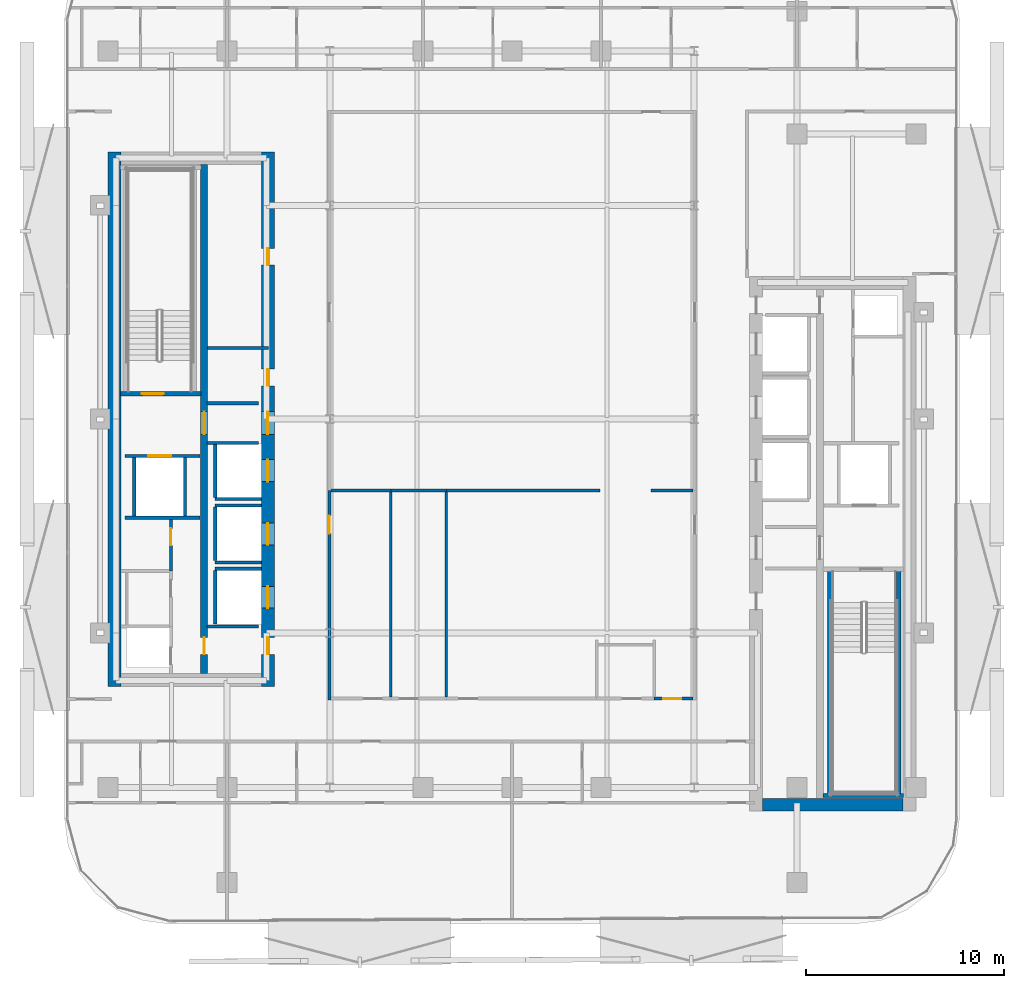
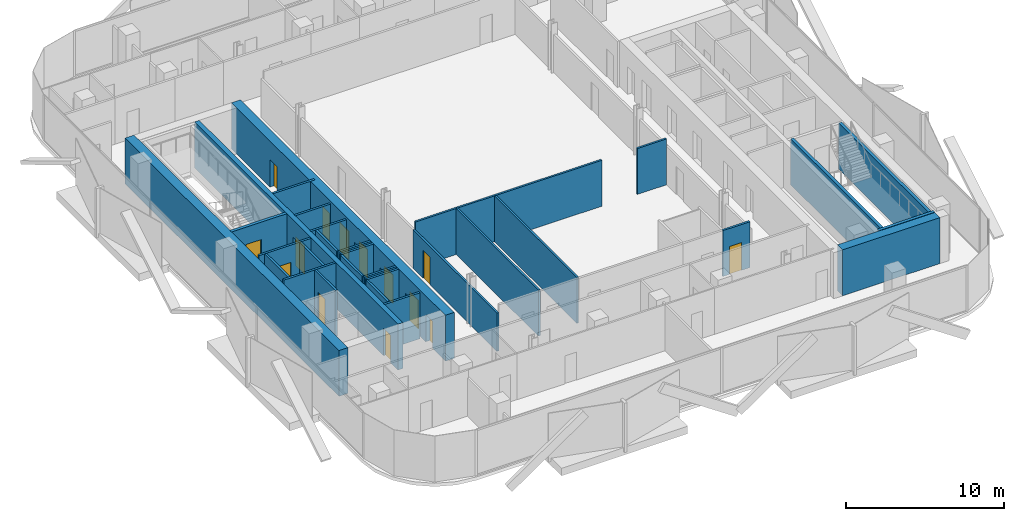
# One storey, part 4 of 17: 32 walls, 14 doors, 14 openings.
"""IFC4 building model written with IfcOpenShell, lengths in metres."""

from ifc_helpers import new_model, si_unit, direction, frame, frame_2d, origin, place, context, subcontext, project, spatial, rectangle, extrude, material, layer, layer_set, type_object, element, fill, save


model = new_model("IFC4")

# Units and contexts
model_context = context("Model", 3, precision=1e-05, world=origin(), true_north=direction((0.0, 1.0)))
body_context = subcontext(model_context, "Body", "Model", "MODEL_VIEW")
ifc_project = project(units=[si_unit("LENGTHUNIT", "METRE"), si_unit("AREAUNIT", "SQUARE_METRE"), si_unit("VOLUMEUNIT", "CUBIC_METRE"), si_unit("PLANEANGLEUNIT", "RADIAN"), si_unit("MASSUNIT", "GRAM", prefix="KILO")], contexts=[model_context])

# Site, building, storey
site_placement = place(None, origin())
site = spatial("IfcSite", under=ifc_project, at=site_placement, CompositionType="ELEMENT")
building_placement = place(site_placement, origin())
building = spatial("IfcBuilding", under=site, at=building_placement, Name="Khairoan Windgate Tower", CompositionType="ELEMENT")
storey_placement = place(building_placement, frame((0.0, 0.0, 172.60009765625)))
storey = spatial("IfcBuildingStorey", under=building, at=storey_placement, Name="L39", CompositionType="ELEMENT", Elevation=172.60009765625)

# Walls
ifc_material_1 = material(Name="Concrete C40/50", Category="concrete")
ifc_layer_1 = layer(ifc_material_1, 0.159912109375, Name="Concrete C40/50")
ifc_layer_set_1 = layer_set([ifc_layer_1], Name="Concrete C40/50")
wall_type_1 = type_object("IfcWallType", Name="Core and Hoistway Enclosure Wall", PredefinedType="STANDARD", material=ifc_layer_set_1)
wall_1_placement = place(storey_placement, frame((-14.989990234375, -4.0400390625, 0.0), z_axis=(0.0, 0.0, 1.0), x_axis=(1.0, 0.0, 0.0)))
element("IfcWall", 1, at=wall_1_placement, inside=storey, type_object=wall_type_1, Name="L39 Lift PL4 Hoistway Divider S", PredefinedType="STANDARD", context=body_context, shape_type="SweptSolid", body=[
    extrude(rectangle(XDim=2.340087890625, YDim=0.159912109375, at=frame_2d((1.169921875, 0.0))), origin(), (0.0, 0.0, 1.0), 3.539794921875),
])
wall_2_placement = place(storey_placement, frame((-14.989990234375, -3.949951171875, 0.0), z_axis=(0.0, 0.0, 1.0), x_axis=(0.0, 1.0, 0.0)))
element("IfcWall", 2, at=wall_2_placement, inside=storey, type_object=wall_type_1, Name="L39 Lift PL4 Hoistway Back Wall", PredefinedType="STANDARD", context=body_context, shape_type="SweptSolid", body=[
    extrude(rectangle(XDim=2.699951171875, YDim=0.159912109375, at=frame_2d((1.35009765625, 0.0))), origin(), (0.0, 0.0, 1.0), 3.539794921875),
])
for number, where, z_axis, x_axis, name in (
    (3, (-14.989990234375, -7.239990234375, 0.0), (0.0, 0.0, 1.0), (1.0, 0.0, 0.0), "L39 Lift PL5 Hoistway Divider S"),
    (4, (-14.989990234375, -4.360107421875, 0.0), (0.0, 0.0, 1.0), (1.0, 0.0, 0.0), "L39 Lift PL5 Hoistway Divider N"),
):
    element("IfcWall", number, at=place(storey_placement, frame(where, z_axis=z_axis, x_axis=x_axis)), inside=storey, type_object=wall_type_1, Name=name, PredefinedType="STANDARD", context=body_context, shape_type="SweptSolid", body=[
        extrude(rectangle(XDim=2.340087890625, YDim=0.159912109375, at=frame_2d((1.169921875, 0.0))), origin(), (0.0, 0.0, 1.0), 3.539794921875),
    ])
wall_3_placement = place(storey_placement, frame((-14.989990234375, -7.14990234375, 0.0), z_axis=(0.0, 0.0, 1.0), x_axis=(0.0, 1.0, 0.0)))
element("IfcWall", 5, at=wall_3_placement, inside=storey, type_object=wall_type_1, Name="L39 Lift PL5 Hoistway Back Wall", PredefinedType="STANDARD", context=body_context, shape_type="SweptSolid", body=[
    extrude(rectangle(XDim=2.699951171875, YDim=0.159912109375, at=frame_2d((1.35009765625, 0.0))), origin(), (0.0, 0.0, 1.0), 3.539794921875),
])
wall_4_placement = place(storey_placement, frame((-14.989990234375, -7.56005859375, 0.0), z_axis=(0.0, 0.0, 1.0), x_axis=(1.0, 0.0, 0.0)))
element("IfcWall", 6, at=wall_4_placement, inside=storey, type_object=wall_type_1, Name="L39 Lift PL6 Hoistway Divider N", PredefinedType="STANDARD", context=body_context, shape_type="SweptSolid", body=[
    extrude(rectangle(XDim=2.340087890625, YDim=0.159912109375, at=frame_2d((1.169921875, 0.0))), origin(), (0.0, 0.0, 1.0), 3.539794921875),
])
wall_5_placement = place(storey_placement, frame((-14.989990234375, -10.35009765625, 0.0), z_axis=(0.0, 0.0, 1.0), x_axis=(0.0, 1.0, 0.0)))
element("IfcWall", 7, at=wall_5_placement, inside=storey, type_object=wall_type_1, Name="L39 Lift PL6 Hoistway Back Wall", PredefinedType="STANDARD", context=body_context, shape_type="SweptSolid", body=[
    extrude(rectangle(XDim=2.7001953125, YDim=0.159912109375, at=frame_2d((1.35009765625, 0.0))), origin(), (0.0, 0.0, 1.0), 3.539794921875),
])

# Wall, opening, door
wall_6_placement = place(storey_placement, frame((-19.550048828125, -1.860107421875, 0.0), z_axis=(0.0, 0.0, 1.0), x_axis=(1.0, 0.0, 0.0)))
wall_6 = element("IfcWall", 8, at=wall_6_placement, inside=storey, type_object=wall_type_1, Name="L39 Core Shaft Wall SW-FL2-L39", PredefinedType="STANDARD", context=body_context, shape_type="SweptSolid", body=[
    extrude(rectangle(XDim=3.800048828125, YDim=0.159912109375, at=frame_2d((1.89990234375, 0.0))), origin(), (0.0, 0.0, 1.0), 3.539794921875),
])
opening_1_placement = place(wall_6_placement, frame((1.179931640625, 0.0, 0.0)))
opening_1 = element("IfcOpeningElement", 9, at=opening_1_placement, cuts=wall_6, Name="Opening LD-FL", PredefinedType="OPENING", context=body_context, shape_type="SweptSolid", body=[
    extrude(rectangle(XDim=1.14990234375, YDim=2.199951171875, at=frame_2d((0.574951171875, 1.10009765625))), frame((0.0, 0.08984375, 0.0), z_axis=(0.0, -1.0, 0.0), x_axis=(1.0, 0.0, 0.0)), (0.0, 0.0, 1.0), 0.179931640625),
])
ifc_material_2 = material(Name="Steel S355", Category="steel")
door_type_1 = type_object("IfcDoorType", Name="Firefighting Lift Sliding Landing Door LD-FL 1150x2200", OperationType="DOUBLE_DOOR_SLIDING", PredefinedType="DOOR", material=ifc_material_2)
door_1_placement = place(opening_1_placement, origin())
door_1 = element("IfcDoor", 10, at=door_1_placement, inside=storey, type_object=door_type_1, Name="L39 Firefighting Lift FL2 Landing Door", OperationType="DOUBLE_DOOR_SLIDING", OverallHeight=2.199951171875, OverallWidth=1.14990234375, PredefinedType="DOOR", context=body_context, shape_type="SweptSolid", body=[
    extrude(rectangle(XDim=1.14990234375, YDim=2.199951171875, at=frame_2d((0.574951171875, 1.10009765625))), frame((0.0, 0.02490234375, 0.0), z_axis=(0.0, -1.0, 0.0), x_axis=(1.0, 0.0, 0.0)), (0.0, 0.0, 1.0), 0.050048828125),
])
fill(opening_1, door_1)

# Walls
wall_7_placement = place(storey_placement, frame((-19.550048828125, -4.97998046875, 0.0), z_axis=(0.0, 0.0, 1.0), x_axis=(1.0, 0.0, 0.0)))
element("IfcWall", 11, at=wall_7_placement, inside=storey, type_object=wall_type_1, Name="L39 Core Shaft Wall SW-FL2B-L39", PredefinedType="STANDARD", context=body_context, shape_type="SweptSolid", body=[
    extrude(rectangle(XDim=3.800048828125, YDim=0.159912109375, at=frame_2d((1.89990234375, 0.0))), origin(), (0.0, 0.0, 1.0), 3.539794921875),
])
for number, where, z_axis, x_axis, name in (
    (12, (-19.080078125, -4.89990234375, 0.0), (0.0, 0.0, 1.0), (0.0, 1.0, 0.0), "L39 Core Shaft Wall SW-FL2W-L39"),
    (13, (-16.52001953125, -4.89990234375, 0.0), (0.0, 0.0, 1.0), (0.0, 1.0, 0.0), "L39 Core Shaft Wall SW-FL2E-L39"),
):
    element("IfcWall", number, at=place(storey_placement, frame(where, z_axis=z_axis, x_axis=x_axis)), inside=storey, type_object=wall_type_1, Name=name, PredefinedType="STANDARD", context=body_context, shape_type="SweptSolid", body=[
        extrude(rectangle(XDim=2.9599609375, YDim=0.159912109375, at=frame_2d((1.47998046875, 0.0))), origin(), (0.0, 0.0, 1.0), 3.539794921875),
    ])
for number, where, z_axis, x_axis, name in (
    (14, (-15.39990234375, 0.800048828125, 0.0), (0.0, 0.0, 1.0), (1.0, 0.0, 0.0), "L39 Core Shaft Wall SW-WV1-L39"),
    (15, (-15.39990234375, -1.199951171875, 0.0), (0.0, 0.0, 1.0), (1.0, 0.0, 0.0), "L39 Core Shaft Wall SW-WV2-L39"),
    (16, (-15.39990234375, -10.47998046875, 0.0), (0.0, 0.0, 1.0), (1.0, 0.0, 0.0), "L39 Core Shaft Wall SW-WSV-L39"),
):
    element("IfcWall", number, at=place(storey_placement, frame(where, z_axis=z_axis, x_axis=x_axis)), inside=storey, type_object=wall_type_1, Name=name, PredefinedType="STANDARD", context=body_context, shape_type="SweptSolid", body=[
        extrude(rectangle(XDim=2.599853515625, YDim=0.159912109375, at=frame_2d((1.2998046875, 0.0))), origin(), (0.0, 0.0, 1.0), 3.539794921875),
    ])
ifc_material_3 = material(Name="Acoustic Fire-Rated Gypsum Partition", Category="gypsum")
ifc_layer_2 = layer(ifc_material_3, 0.139892578125, Name="Acoustic Fire-Rated Gypsum Partition")
ifc_layer_set_2 = layer_set([ifc_layer_2], Name="Acoustic Fire-Rated Gypsum Partition")
wall_type_2 = type_object("IfcWallType", Name="Inter-Tenancy Compartment Wall", PredefinedType="PARTITIONING", material=ifc_layer_set_2)
wall_8_placement = place(storey_placement, frame((-6.1201171875, -14.044921875, 0.0), z_axis=(0.0, 0.0, 1.0), x_axis=(0.0, 1.0, 0.0)))
element("IfcWall", 17, at=wall_8_placement, inside=storey, type_object=wall_type_2, Name="L39 Interior Partition 040", PredefinedType="PARTITIONING", context=body_context, shape_type="SweptSolid", body=[
    extrude(rectangle(XDim=10.375, YDim=0.139892578125, at=frame_2d((5.1875, 0.0))), origin(), (0.0, 0.0, 1.0), 3.539794921875),
])
wall_9_placement = place(storey_placement, frame((-9.14501953125, -3.60009765625, 0.0), z_axis=(0.0, 0.0, 1.0), x_axis=(1.0, 0.0, 0.0)))
element("IfcWall", 18, at=wall_9_placement, inside=storey, type_object=wall_type_2, Name="L39 Interior Partition 041", PredefinedType="PARTITIONING", context=body_context, shape_type="SweptSolid", body=[
    extrude(rectangle(XDim=3.02490234375, YDim=0.139892578125, at=frame_2d((1.512451171875, 0.0))), origin(), (0.0, 0.0, 1.0), 3.539794921875),
])
wall_10_placement = place(storey_placement, frame((-3.320068359375, -14.044921875, 0.0), z_axis=(0.0, 0.0, 1.0), x_axis=(0.0, 1.0, 0.0)))
element("IfcWall", 19, at=wall_10_placement, inside=storey, type_object=wall_type_2, Name="L39 Interior Partition 042", PredefinedType="PARTITIONING", context=body_context, shape_type="SweptSolid", body=[
    extrude(rectangle(XDim=10.375, YDim=0.139892578125, at=frame_2d((5.1875, 0.0))), origin(), (0.0, 0.0, 1.0), 3.539794921875),
])
wall_11_placement = place(storey_placement, frame((-6.1201171875, -3.60009765625, 0.0), z_axis=(0.0, 0.0, 1.0), x_axis=(1.0, 0.0, 0.0)))
element("IfcWall", 20, at=wall_11_placement, inside=storey, type_object=wall_type_2, Name="L39 Interior Partition 043", PredefinedType="PARTITIONING", context=body_context, shape_type="SweptSolid", body=[
    extrude(rectangle(XDim=2.800048828125, YDim=0.139892578125, at=frame_2d((1.39990234375, 0.0))), origin(), (0.0, 0.0, 1.0), 3.539794921875),
])
wall_12_placement = place(storey_placement, frame((-3.320068359375, -3.60009765625, 0.0), z_axis=(0.0, 0.0, 1.0), x_axis=(1.0, 0.0, 0.0)))
element("IfcWall", 21, at=wall_12_placement, inside=storey, type_object=wall_type_2, Name="L39 Interior Partition 045", PredefinedType="PARTITIONING", context=body_context, shape_type="SweptSolid", body=[
    extrude(rectangle(XDim=7.760009765625, YDim=0.139892578125, at=frame_2d((3.8798828125, 0.0))), origin(), (0.0, 0.0, 1.0), 3.539794921875),
])
wall_13_placement = place(storey_placement, frame((7.02001953125, -3.60009765625, 0.0), z_axis=(0.0, 0.0, 1.0), x_axis=(1.0, 0.0, 0.0)))
element("IfcWall", 22, at=wall_13_placement, inside=storey, type_object=wall_type_2, Name="L39 Interior Partition 047", PredefinedType="PARTITIONING", context=body_context, shape_type="SweptSolid", body=[
    extrude(rectangle(XDim=2.125, YDim=0.139892578125, at=frame_2d((1.0625, 0.0))), origin(), (0.0, 0.0, 1.0), 3.539794921875),
])

# Wall, opening, door
ifc_material_4 = material(Name="Concrete C40/50", Category="concrete")
ifc_layer_3 = layer(ifc_material_4, 0.159912109375, Name="Concrete C40/50")
ifc_layer_set_3 = layer_set([ifc_layer_3], Name="Concrete C40/50")
wall_type_3 = type_object("IfcWallType", Name="Plant and Refuge Compartment Wall", PredefinedType="PARTITIONING", material=ifc_layer_set_3)
wall_14_placement = place(storey_placement, frame((-17.22998046875, -7.669921875, 0.0), z_axis=(0.0, 0.0, 1.0), x_axis=(0.0, 1.0, 0.0)))
wall_14 = element("IfcWall", 23, at=wall_14_placement, inside=storey, type_object=wall_type_3, Name="L39 Interior Partition 003", PredefinedType="PARTITIONING", context=body_context, shape_type="SweptSolid", body=[
    extrude(rectangle(XDim=2.60986328125, YDim=0.159912109375, at=frame_2d((1.304931640625, 0.0))), origin(), (0.0, 0.0, 1.0), 3.539794921875),
])
opening_2_placement = place(wall_14_placement, frame((1.300048828125, 0.0, 0.0)))
opening_2 = element("IfcOpeningElement", 24, at=opening_2_placement, cuts=wall_14, Name="Opening FD-SRV", PredefinedType="OPENING", context=body_context, shape_type="SweptSolid", body=[
    extrude(rectangle(XDim=0.85009765625, YDim=2.10009765625, at=frame_2d((0.425048828125, 1.050048828125))), frame((0.0, 0.08984375, 0.0), z_axis=(0.0, -1.0, 0.0), x_axis=(1.0, 0.0, 0.0)), (0.0, 0.0, 1.0), 0.179931640625),
])
ifc_material_5 = material(Name="Steel S355", Category="steel")
door_type_2 = type_object("IfcDoorType", Name="Core Service and Riser Fire Door FD-SRV 850x2100", OperationType="NOTDEFINED", PredefinedType="DOOR", material=ifc_material_5)
door_2_placement = place(opening_2_placement, origin())
door_2 = element("IfcDoor", 25, at=door_2_placement, inside=storey, type_object=door_type_2, Name="L39 L39-04-L39-07 Door", OperationType="SINGLE_SWING_RIGHT", OverallHeight=2.10009765625, OverallWidth=0.85009765625, PredefinedType="DOOR", context=body_context, shape_type="SweptSolid", body=[
    extrude(rectangle(XDim=0.85009765625, YDim=2.10009765625, at=frame_2d((0.425048828125, 1.050048828125))), frame((0.0, 0.02490234375, 0.0), z_axis=(0.0, -1.0, 0.0), x_axis=(1.0, 0.0, 0.0)), (0.0, 0.0, 1.0), 0.050048828125),
])
fill(opening_2, door_2)

# Wall
wall_15_placement = place(storey_placement, frame((-15.375, 3.60009765625, 0.0), z_axis=(0.0, 0.0, 1.0), x_axis=(1.0, 0.0, 0.0)))
element("IfcWall", 26, at=wall_15_placement, inside=storey, type_object=wall_type_3, Name="L39 Interior Partition 006", PredefinedType="PARTITIONING", context=body_context, shape_type="SweptSolid", body=[
    extrude(rectangle(XDim=3.06494140625, YDim=0.159912109375, at=frame_2d((1.532470703125, 0.0))), origin(), (0.0, 0.0, 1.0), 3.539794921875),
])

# Wall, opening, door
ifc_material_6 = material(Name="Acoustic Fire-Rated Gypsum Partition", Category="gypsum")
ifc_layer_4 = layer(ifc_material_6, 0.14990234375, Name="Acoustic Fire-Rated Gypsum Partition")
ifc_layer_set_4 = layer_set([ifc_layer_4], Name="Acoustic Fire-Rated Gypsum Partition")
wall_type_4 = type_object("IfcWallType", Name="Rated Corridor Partition Wall", PredefinedType="PARTITIONING", material=ifc_layer_set_4)
wall_16_placement = place(storey_placement, frame((-9.219970703125, -14.195068359375, 0.0), z_axis=(0.0, 0.0, 1.0), x_axis=(0.0, 1.0, 0.0)))
wall_16 = element("IfcWall", 27, at=wall_16_placement, inside=storey, type_object=wall_type_4, Name="L39 Interior Partition 010", PredefinedType="PARTITIONING", context=body_context, shape_type="SweptSolid", body=[
    extrude(rectangle(XDim=10.594970703125, YDim=0.14990234375, at=frame_2d((5.29736328125, 0.0))), origin(), (0.0, 0.0, 1.0), 2.951904296875),
])
opening_3_placement = place(wall_16_placement, frame((8.418701171875, 0.0, 0.0)))
opening_3 = element("IfcOpeningElement", 28, at=opening_3_placement, cuts=wall_16, Name="Opening FD-ENT", PredefinedType="OPENING", context=body_context, shape_type="SweptSolid", body=[
    extrude(rectangle(XDim=0.89990234375, YDim=2.14990234375, at=frame_2d((0.449951171875, 1.074951171875))), frame((0.0, 0.0849609375, 0.0), z_axis=(0.0, -1.0, 0.0), x_axis=(1.0, 0.0, 0.0)), (0.0, 0.0, 1.0), 0.169921875),
])
ifc_material_7 = material(Name="Timber Fire-Rated Core", Category="wood")
door_type_3 = type_object("IfcDoorType", Name="Unit and Office Fire Entrance Door FD-ENT 900x2150", OperationType="NOTDEFINED", PredefinedType="DOOR", material=ifc_material_7)
door_3_placement = place(opening_3_placement, origin())
door_3 = element("IfcDoor", 29, at=door_3_placement, inside=storey, type_object=door_type_3, Name="L39 L39-27-L39-31 Door", OperationType="SINGLE_SWING_LEFT", OverallHeight=2.14990234375, OverallWidth=0.89990234375, PredefinedType="DOOR", context=body_context, shape_type="SweptSolid", body=[
    extrude(rectangle(XDim=0.89990234375, YDim=2.14990234375, at=frame_2d((0.449951171875, 1.074951171875))), frame((0.0, 0.02490234375, 0.0), z_axis=(0.0, -1.0, 0.0), x_axis=(1.0, 0.0, 0.0)), (0.0, 0.0, 1.0), 0.050048828125),
])
fill(opening_3, door_3)

wall_17_placement = place(storey_placement, frame((7.179931640625, -14.1201171875, 0.0), z_axis=(0.0, 0.0, 1.0), x_axis=(1.0, 0.0, 0.0)))
wall_17 = element("IfcWall", 30, at=wall_17_placement, inside=storey, type_object=wall_type_4, Name="L39 Interior Partition 032", PredefinedType="PARTITIONING", context=body_context, shape_type="SweptSolid", body=[
    extrude(rectangle(XDim=1.965087890625, YDim=0.14990234375, at=frame_2d((0.982421875, 0.0))), origin(), (0.0, 0.0, 1.0), 3.539794921875),
])
opening_4_placement = place(wall_17_placement, frame((0.4599609375, 0.0, 0.0)))
opening_4 = element("IfcOpeningElement", 31, at=opening_4_placement, cuts=wall_17, Name="Opening FD-ENT", PredefinedType="OPENING", context=body_context, shape_type="SweptSolid", body=[
    extrude(rectangle(XDim=0.89990234375, YDim=2.14990234375, at=frame_2d((0.449951171875, 1.074951171875))), frame((0.0, 0.0849609375, 0.0), z_axis=(0.0, -1.0, 0.0), x_axis=(1.0, 0.0, 0.0)), (0.0, 0.0, 1.0), 0.169921875),
])
door_4_placement = place(opening_4_placement, origin())
door_4 = element("IfcDoor", 32, at=door_4_placement, inside=storey, type_object=door_type_3, Name="L39 L39-30-L39-35 Door", OperationType="SINGLE_SWING_RIGHT", OverallHeight=2.14990234375, OverallWidth=0.89990234375, PredefinedType="DOOR", context=body_context, shape_type="SweptSolid", body=[
    extrude(rectangle(XDim=0.89990234375, YDim=2.14990234375, at=frame_2d((0.449951171875, 1.074951171875))), frame((0.0, 0.02490234375, 0.0), z_axis=(0.0, -1.0, 0.0), x_axis=(1.0, 0.0, 0.0)), (0.0, 0.0, 1.0), 0.050048828125),
])
fill(opening_4, door_4)

# Walls
ifc_material_8 = material(Name="Concrete C60/75", Category="concrete")
ifc_layer_5 = layer(ifc_material_8, 0.64990234375, Name="Concrete C60/75")
ifc_layer_set_5 = layer_set([ifc_layer_5], Name="Concrete C60/75")
wall_type_5 = type_object("IfcWallType", Name="Shear Wall CW-E2 650mm", PredefinedType="SHEAR", material=ifc_layer_set_5)
wall_18_placement = place(storey_placement, frame((12.64990234375, -19.47509765625, 0.0), z_axis=(0.0, 0.0, 1.0), x_axis=(1.0, 0.0, 0.0)))
element("IfcWall", 33, at=wall_18_placement, inside=storey, type_object=wall_type_5, Name="E Core South Shear Wall L39", PredefinedType="SHEAR", context=body_context, shape_type="SweptSolid", body=[
    extrude(rectangle(XDim=7.10009765625, YDim=0.64990234375, at=frame_2d((3.550048828125, 0.0))), origin(), (0.0, 0.0, 1.0), 3.539794921875),
])
ifc_material_9 = material(Name="Concrete C60/75", Category="concrete")
ifc_layer_6 = layer(ifc_material_9, 0.64990234375, Name="Concrete C60/75")
ifc_layer_set_6 = layer_set([ifc_layer_6], Name="Concrete C60/75")
wall_type_6 = type_object("IfcWallType", Name="Shear Wall CW-W2 650mm", PredefinedType="SHEAR", material=ifc_layer_set_6)
wall_19_placement = place(storey_placement, frame((-20.074951171875, -13.5, 0.0), z_axis=(0.0, 0.0, 1.0), x_axis=(0.0, 1.0, 0.0)))
element("IfcWall", 34, at=wall_19_placement, inside=storey, type_object=wall_type_6, Name="W Core West Shear Wall L39", PredefinedType="SHEAR", context=body_context, shape_type="SweptSolid", body=[
    extrude(rectangle(XDim=27.0, YDim=0.64990234375, at=frame_2d((13.5, 0.0))), origin(), (0.0, 0.0, 1.0), 3.539794921875),
])

# Wall, openings, doors
wall_20_placement = place(storey_placement, frame((-12.324951171875, -13.5, 0.0), z_axis=(0.0, 0.0, 1.0), x_axis=(0.0, 1.0, 0.0)))
wall_20 = element("IfcWall", 35, at=wall_20_placement, inside=storey, type_object=wall_type_6, Name="W Core East Shear Wall L39", PredefinedType="SHEAR", context=body_context, shape_type="SweptSolid", body=[
    extrude(rectangle(XDim=27.0, YDim=0.64990234375, at=frame_2d((13.5, 0.0))), origin(), (0.0, 0.0, 1.0), 3.539794921875),
])
opening_5_placement = place(wall_20_placement, frame((10.35009765625, 0.0, 0.0)))
opening_5 = element("IfcOpeningElement", 36, at=opening_5_placement, cuts=wall_20, Name="Opening LD-PL", PredefinedType="OPENING", context=body_context, shape_type="SweptSolid", body=[
    extrude(rectangle(XDim=1.10009765625, YDim=2.199951171875, at=frame_2d((0.550048828125, 1.10009765625))), frame((0.0, 0.3349609375, 0.0), z_axis=(0.0, -1.0, 0.0), x_axis=(1.0, 0.0, 0.0)), (0.0, 0.0, 1.0), 0.669921875),
])
opening_6_placement = place(wall_20_placement, frame((7.14990234375, 0.0, 0.0)))
opening_6 = element("IfcOpeningElement", 37, at=opening_6_placement, cuts=wall_20, Name="Opening LD-PL", PredefinedType="OPENING", context=body_context, shape_type="SweptSolid", body=[
    extrude(rectangle(XDim=1.10009765625, YDim=2.199951171875, at=frame_2d((0.550048828125, 1.10009765625))), frame((0.0, 0.3349609375, 0.0), z_axis=(0.0, -1.0, 0.0), x_axis=(1.0, 0.0, 0.0)), (0.0, 0.0, 1.0), 0.669921875),
])
opening_7_placement = place(wall_20_placement, frame((3.949951171875, 0.0, 0.0)))
opening_7 = element("IfcOpeningElement", 38, at=opening_7_placement, cuts=wall_20, Name="Opening LD-PL", PredefinedType="OPENING", context=body_context, shape_type="SweptSolid", body=[
    extrude(rectangle(XDim=1.10009765625, YDim=2.199951171875, at=frame_2d((0.550048828125, 1.10009765625))), frame((0.0, 0.3349609375, 0.0), z_axis=(0.0, -1.0, 0.0), x_axis=(1.0, 0.0, 0.0)), (0.0, 0.0, 1.0), 0.669921875),
])
opening_8_placement = place(wall_20_placement, frame((15.175048828125, 0.0, 0.0)))
opening_8 = element("IfcOpeningElement", 39, at=opening_8_placement, cuts=wall_20, Name="Opening FD-SRV", PredefinedType="OPENING", context=body_context, shape_type="SweptSolid", body=[
    extrude(rectangle(XDim=0.85009765625, YDim=2.10009765625, at=frame_2d((0.425048828125, 1.050048828125))), frame((0.0, 0.3349609375, 0.0), z_axis=(0.0, -1.0, 0.0), x_axis=(1.0, 0.0, 0.0)), (0.0, 0.0, 1.0), 0.669921875),
])
opening_9_placement = place(wall_20_placement, frame((21.27490234375, 0.0, 0.0)))
opening_9 = element("IfcOpeningElement", 40, at=opening_9_placement, cuts=wall_20, Name="Opening FD-SRV", PredefinedType="OPENING", context=body_context, shape_type="SweptSolid", body=[
    extrude(rectangle(XDim=0.85009765625, YDim=2.10009765625, at=frame_2d((0.425048828125, 1.050048828125))), frame((0.0, 0.3349609375, 0.0), z_axis=(0.0, -1.0, 0.0), x_axis=(1.0, 0.0, 0.0)), (0.0, 0.0, 1.0), 0.669921875),
])
opening_10_placement = place(wall_20_placement, frame((12.72509765625, 0.0, 0.0)))
opening_10 = element("IfcOpeningElement", 41, at=opening_10_placement, cuts=wall_20, Name="Opening FD-FFL", PredefinedType="OPENING", context=body_context, shape_type="SweptSolid", body=[
    extrude(rectangle(XDim=1.14990234375, YDim=2.199951171875, at=frame_2d((0.574951171875, 1.10009765625))), frame((0.0, 0.3349609375, 0.0), z_axis=(0.0, -1.0, 0.0), x_axis=(1.0, 0.0, 0.0)), (0.0, 0.0, 1.0), 0.669921875),
])
opening_11_placement = place(wall_20_placement, frame((1.625, 0.0, 0.0)))
opening_11 = element("IfcOpeningElement", 42, at=opening_11_placement, cuts=wall_20, Name="Opening FD-SRV", PredefinedType="OPENING", context=body_context, shape_type="SweptSolid", body=[
    extrude(rectangle(XDim=0.85009765625, YDim=2.10009765625, at=frame_2d((0.425048828125, 1.050048828125))), frame((0.0, 0.3349609375, 0.0), z_axis=(0.0, -1.0, 0.0), x_axis=(1.0, 0.0, 0.0)), (0.0, 0.0, 1.0), 0.669921875),
])
door_5_placement = place(opening_8_placement, origin())
door_5 = element("IfcDoor", 43, at=door_5_placement, inside=storey, type_object=door_type_2, Name="L39 Upper Core Room Door B1-1", OperationType="SINGLE_SWING_LEFT", OverallHeight=2.10009765625, OverallWidth=0.85009765625, PredefinedType="DOOR", context=body_context, shape_type="SweptSolid", body=[
    extrude(rectangle(XDim=0.85009765625, YDim=2.10009765625, at=frame_2d((0.425048828125, 1.050048828125))), frame((0.0, 0.02490234375, 0.0), z_axis=(0.0, -1.0, 0.0), x_axis=(1.0, 0.0, 0.0)), (0.0, 0.0, 1.0), 0.050048828125),
])
fill(opening_8, door_5)
door_6_placement = place(opening_9_placement, origin())
door_6 = element("IfcDoor", 44, at=door_6_placement, inside=storey, type_object=door_type_2, Name="L39 Upper Core Room Door B1-2", OperationType="SINGLE_SWING_RIGHT", OverallHeight=2.10009765625, OverallWidth=0.85009765625, PredefinedType="DOOR", context=body_context, shape_type="SweptSolid", body=[
    extrude(rectangle(XDim=0.85009765625, YDim=2.10009765625, at=frame_2d((0.425048828125, 1.050048828125))), frame((0.0, 0.02490234375, 0.0), z_axis=(0.0, -1.0, 0.0), x_axis=(1.0, 0.0, 0.0)), (0.0, 0.0, 1.0), 0.050048828125),
])
fill(opening_9, door_6)
door_7_placement = place(opening_11_placement, origin())
door_7 = element("IfcDoor", 45, at=door_7_placement, inside=storey, type_object=door_type_2, Name="L39 West Core Service Vestibule Outer Door", OperationType="SINGLE_SWING_RIGHT", OverallHeight=2.10009765625, OverallWidth=0.85009765625, PredefinedType="DOOR", context=body_context, shape_type="SweptSolid", body=[
    extrude(rectangle(XDim=0.85009765625, YDim=2.10009765625, at=frame_2d((0.425048828125, 1.050048828125))), frame((0.0, 0.02490234375, 0.0), z_axis=(0.0, -1.0, 0.0), x_axis=(1.0, 0.0, 0.0)), (0.0, 0.0, 1.0), 0.050048828125),
])
fill(opening_11, door_7)
ifc_material_10 = material(Name="Steel S355", Category="steel")
door_type_4 = type_object("IfcDoorType", Name="Firefighting Lobby Fire Door FD-FFL 1150x2200", OperationType="NOTDEFINED", PredefinedType="DOOR", material=ifc_material_10)
door_8_placement = place(opening_10_placement, origin())
door_8 = element("IfcDoor", 46, at=door_8_placement, inside=storey, type_object=door_type_4, Name="L39 West Core Vestibule Entry Door", OperationType="SINGLE_SWING_RIGHT", OverallHeight=2.199951171875, OverallWidth=1.14990234375, PredefinedType="DOOR", context=body_context, shape_type="SweptSolid", body=[
    extrude(rectangle(XDim=1.14990234375, YDim=2.199951171875, at=frame_2d((0.574951171875, 1.10009765625))), frame((0.0, 0.02490234375, 0.0), z_axis=(0.0, -1.0, 0.0), x_axis=(1.0, 0.0, 0.0)), (0.0, 0.0, 1.0), 0.050048828125),
])
fill(opening_10, door_8)
ifc_material_11 = material(Name="Anodised Bronze Aluminium 6063-T6", Category="aluminium")
door_type_5 = type_object("IfcDoorType", Name="Passenger Lift Sliding Landing Door LD-PL 1100x2200", OperationType="DOUBLE_DOOR_SLIDING", PredefinedType="DOOR", material=ifc_material_11)
door_9_placement = place(opening_5_placement, origin())
door_9 = element("IfcDoor", 47, at=door_9_placement, inside=storey, type_object=door_type_5, Name="L39 Lift PL4 Sliding Landing Door", OperationType="DOUBLE_DOOR_SLIDING", OverallHeight=2.199951171875, OverallWidth=1.10009765625, PredefinedType="DOOR", context=body_context, shape_type="SweptSolid", body=[
    extrude(rectangle(XDim=1.10009765625, YDim=2.199951171875, at=frame_2d((0.550048828125, 1.10009765625))), frame((0.0, 0.02490234375, 0.0), z_axis=(0.0, -1.0, 0.0), x_axis=(1.0, 0.0, 0.0)), (0.0, 0.0, 1.0), 0.050048828125),
])
fill(opening_5, door_9)
door_10_placement = place(opening_6_placement, origin())
door_10 = element("IfcDoor", 48, at=door_10_placement, inside=storey, type_object=door_type_5, Name="L39 Lift PL5 Sliding Landing Door", OperationType="DOUBLE_DOOR_SLIDING", OverallHeight=2.199951171875, OverallWidth=1.10009765625, PredefinedType="DOOR", context=body_context, shape_type="SweptSolid", body=[
    extrude(rectangle(XDim=1.10009765625, YDim=2.199951171875, at=frame_2d((0.550048828125, 1.10009765625))), frame((0.0, 0.02490234375, 0.0), z_axis=(0.0, -1.0, 0.0), x_axis=(1.0, 0.0, 0.0)), (0.0, 0.0, 1.0), 0.050048828125),
])
fill(opening_6, door_10)
door_11_placement = place(opening_7_placement, origin())
door_11 = element("IfcDoor", 49, at=door_11_placement, inside=storey, type_object=door_type_5, Name="L39 Lift PL6 Sliding Landing Door", OperationType="DOUBLE_DOOR_SLIDING", OverallHeight=2.199951171875, OverallWidth=1.10009765625, PredefinedType="DOOR", context=body_context, shape_type="SweptSolid", body=[
    extrude(rectangle(XDim=1.10009765625, YDim=2.199951171875, at=frame_2d((0.550048828125, 1.10009765625))), frame((0.0, 0.02490234375, 0.0), z_axis=(0.0, -1.0, 0.0), x_axis=(1.0, 0.0, 0.0)), (0.0, 0.0, 1.0), 0.050048828125),
])
fill(opening_7, door_11)

ifc_material_12 = material(Name="Concrete C60/75", Category="concrete")
ifc_layer_7 = layer(ifc_material_12, 0.35009765625, Name="Concrete C60/75")
ifc_layer_set_7 = layer_set([ifc_layer_7], Name="Concrete C60/75")
wall_type_7 = type_object("IfcWallType", Name="Shear Wall SW-1 350mm", PredefinedType="SHEAR", material=ifc_layer_set_7)
wall_21_placement = place(storey_placement, frame((-15.550048828125, -12.85009765625, 0.0), z_axis=(0.0, 0.0, 1.0), x_axis=(0.0, 1.0, 0.0)))
wall_21 = element("IfcWall", 50, at=wall_21_placement, inside=storey, type_object=wall_type_7, Name="W Core Spine Shear Wall L39", PredefinedType="SHEAR", context=body_context, shape_type="SweptSolid", body=[
    extrude(rectangle(XDim=25.7001953125, YDim=0.35009765625, at=frame_2d((12.85009765625, 0.0))), origin(), (0.0, 0.0, 1.0), 3.539794921875),
])
opening_12_placement = place(wall_21_placement, frame((12.074951171875, 0.0, 0.0)))
opening_12 = element("IfcOpeningElement", 51, at=opening_12_placement, cuts=wall_21, Name="Opening FD-FFL", PredefinedType="OPENING", context=body_context, shape_type="SweptSolid", body=[
    extrude(rectangle(XDim=1.14990234375, YDim=2.199951171875, at=frame_2d((0.574951171875, 1.10009765625))), frame((0.0, 0.18505859375, 0.0), z_axis=(0.0, -1.0, 0.0), x_axis=(1.0, 0.0, 0.0)), (0.0, 0.0, 1.0), 0.3701171875),
])
opening_13_placement = place(wall_21_placement, frame((0.97509765625, 0.0, 0.0)))
opening_13 = element("IfcOpeningElement", 52, at=opening_13_placement, cuts=wall_21, Name="Opening FD-SRV", PredefinedType="OPENING", context=body_context, shape_type="SweptSolid", body=[
    extrude(rectangle(XDim=0.85009765625, YDim=2.10009765625, at=frame_2d((0.425048828125, 1.050048828125))), frame((0.0, 0.18505859375, 0.0), z_axis=(0.0, -1.0, 0.0), x_axis=(1.0, 0.0, 0.0)), (0.0, 0.0, 1.0), 0.3701171875),
])
door_12_placement = place(opening_13_placement, origin())
door_12 = element("IfcDoor", 53, at=door_12_placement, inside=storey, type_object=door_type_2, Name="L39 West Core Service Passage Inner Door", OperationType="SINGLE_SWING_LEFT", OverallHeight=2.10009765625, OverallWidth=0.85009765625, PredefinedType="DOOR", context=body_context, shape_type="SweptSolid", body=[
    extrude(rectangle(XDim=0.85009765625, YDim=2.10009765625, at=frame_2d((0.425048828125, 1.050048828125))), frame((0.0, 0.02490234375, 0.0), z_axis=(0.0, -1.0, 0.0), x_axis=(1.0, 0.0, 0.0)), (0.0, 0.0, 1.0), 0.050048828125),
])
fill(opening_13, door_12)
door_13_placement = place(opening_12_placement, origin())
door_13 = element("IfcDoor", 54, at=door_13_placement, inside=storey, type_object=door_type_4, Name="L39 West Firefighting Lobby Fire Door", OperationType="SINGLE_SWING_LEFT", OverallHeight=2.199951171875, OverallWidth=1.14990234375, PredefinedType="DOOR", context=body_context, shape_type="SweptSolid", body=[
    extrude(rectangle(XDim=1.14990234375, YDim=2.199951171875, at=frame_2d((0.574951171875, 1.10009765625))), frame((0.0, 0.02490234375, 0.0), z_axis=(0.0, -1.0, 0.0), x_axis=(1.0, 0.0, 0.0)), (0.0, 0.0, 1.0), 0.050048828125),
])
fill(opening_12, door_13)

# Walls
ifc_material_13 = material(Name="Concrete C50/60", Category="concrete")
ifc_layer_8 = layer(ifc_material_13, 0.219970703125, Name="Concrete C50/60")
ifc_layer_set_8 = layer_set([ifc_layer_8], Name="Concrete C50/60")
wall_type_8 = type_object("IfcWallType", Name="Shear Wall SW-ST 220mm", PredefinedType="SHEAR", material=ifc_layer_set_8)
for number, where, z_axis, x_axis, name in (
    (55, (16.0400390625, -19.010009765625, 0.0), (0.0, 0.0, 1.0), (0.0, 1.0, 0.0), "L39 Stair ST1 West Bearing Wall"),
    (56, (19.530029296875, -19.010009765625, 0.0), (0.0, 0.0, 1.0), (0.0, 1.0, 0.0), "L39 Stair ST1 East Bearing Wall"),
):
    element("IfcWall", number, at=place(storey_placement, frame(where, z_axis=z_axis, x_axis=x_axis)), inside=storey, type_object=wall_type_8, Name=name, PredefinedType="SHEAR", context=body_context, shape_type="SweptSolid", body=[
        extrude(rectangle(XDim=11.419921875, YDim=0.219970703125, at=frame_2d((5.7099609375, 0.0))), origin(), (0.0, 0.0, 1.0), 3.539794921875),
    ])
wall_22_placement = place(storey_placement, frame((15.705078125, -19.010009765625, 0.0), z_axis=(0.0, 0.0, 1.0), x_axis=(1.0, 0.0, 0.0)))
element("IfcWall", 57, at=wall_22_placement, inside=storey, type_object=wall_type_8, Name="L39 Stair ST1 South Bearing Wall", PredefinedType="SHEAR", context=body_context, shape_type="SweptSolid", body=[
    extrude(rectangle(XDim=4.06494140625, YDim=0.219970703125, at=frame_2d((2.032470703125, 0.0))), origin(), (0.0, 0.0, 1.0), 3.539794921875),
])

# Wall, opening, door
wall_23_placement = place(storey_placement, frame((-19.77001953125, 1.2900390625, 0.0), z_axis=(0.0, 0.0, 1.0), x_axis=(1.0, 0.0, 0.0)))
wall_23 = element("IfcWall", 58, at=wall_23_placement, inside=storey, type_object=wall_type_8, Name="L39 Stair ST2 South Bearing Wall", PredefinedType="SHEAR", context=body_context, shape_type="SweptSolid", body=[
    extrude(rectangle(XDim=4.06494140625, YDim=0.219970703125, at=frame_2d((2.032470703125, 0.0))), origin(), (0.0, 0.0, 1.0), 3.539794921875),
])
opening_14_placement = place(wall_23_placement, frame((1.080078125, 0.0, 0.0)))
opening_14 = element("IfcOpeningElement", 59, at=opening_14_placement, cuts=wall_23, Name="Opening FD-ST", PredefinedType="OPENING", context=body_context, shape_type="SweptSolid", body=[
    extrude(rectangle(XDim=1.10009765625, YDim=2.199951171875, at=frame_2d((0.550048828125, 1.10009765625))), frame((0.0, 0.119873046875, 0.0), z_axis=(0.0, -1.0, 0.0), x_axis=(1.0, 0.0, 0.0)), (0.0, 0.0, 1.0), 0.239990234375),
])
ifc_material_14 = material(Name="Steel S355", Category="steel")
door_type_6 = type_object("IfcDoorType", Name="Smokeproof Stair Fire Door FD-ST 1100x2200", OperationType="NOTDEFINED", PredefinedType="DOOR", material=ifc_material_14)
door_14_placement = place(opening_14_placement, origin())
door_14 = element("IfcDoor", 60, at=door_14_placement, inside=storey, type_object=door_type_6, Name="L39 Stair ST2 Fire Door", OperationType="SINGLE_SWING_RIGHT", OverallHeight=2.199951171875, OverallWidth=1.10009765625, PredefinedType="DOOR", context=body_context, shape_type="SweptSolid", body=[
    extrude(rectangle(XDim=1.10009765625, YDim=2.199951171875, at=frame_2d((0.550048828125, 1.10009765625))), frame((0.0, 0.02490234375, 0.0), z_axis=(0.0, -1.0, 0.0), x_axis=(1.0, 0.0, 0.0)), (0.0, 0.0, 1.0), 0.050048828125),
])
fill(opening_14, door_14)

save(model, "model.ifc")
